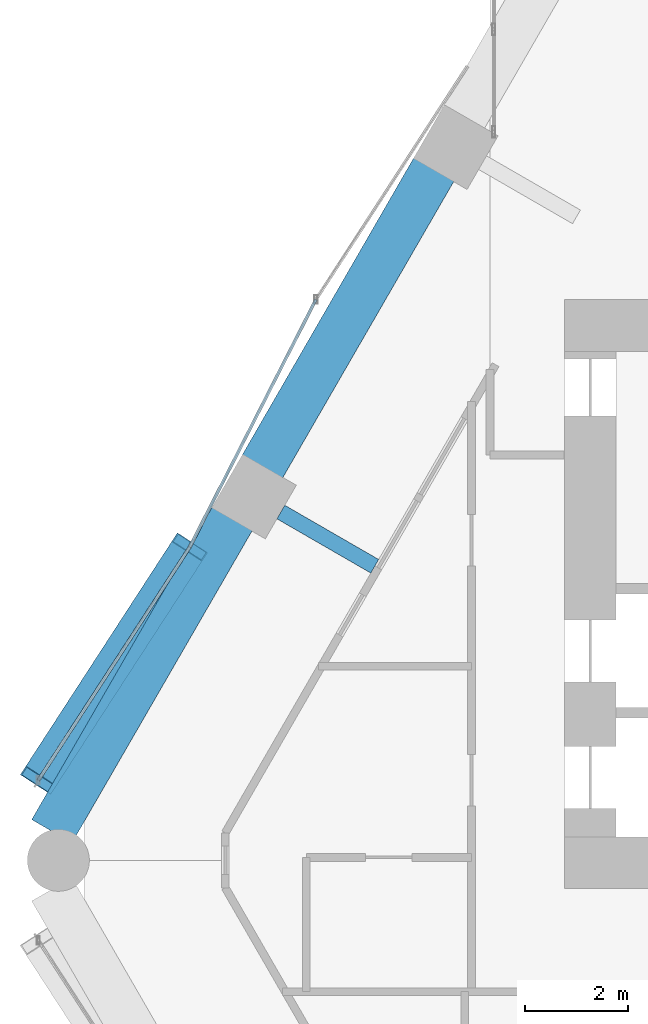
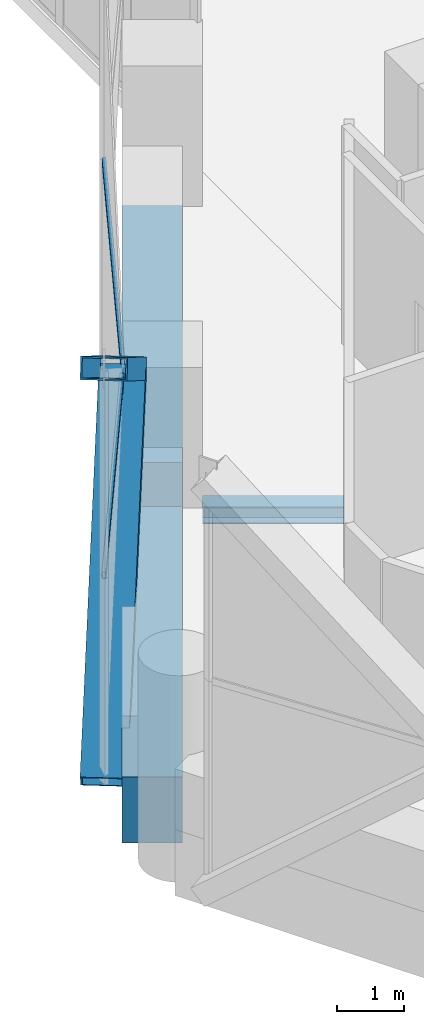
# One storey, part 14 of 36: 4 members, 3 beams, 1 element without a shape of its own.
"""IFC4 building model written with IfcOpenShell, lengths in metres."""

from ifc_helpers import new_model, si_unit, direction, frame, origin, origin_2d, place, context, subcontext, project, spatial, rectangle, hollow_rectangle, i_section, extrude, material, material_profile, profile_set, type_object, element, aggregate, save


model = new_model("IFC4")

# Units and contexts
model_context = context("Model", 3, precision=1e-05, world=origin(), true_north=direction((0.0, 1.0)))
body_context = subcontext(model_context, "Body", "Model", "MODEL_VIEW")
ifc_project = project(units=[si_unit("LENGTHUNIT", "METRE"), si_unit("AREAUNIT", "SQUARE_METRE"), si_unit("VOLUMEUNIT", "CUBIC_METRE"), si_unit("PLANEANGLEUNIT", "RADIAN"), si_unit("MASSUNIT", "GRAM", prefix="KILO")], contexts=[model_context])

# Site, building, storey
site_placement = place(None, origin())
site = spatial("IfcSite", under=ifc_project, at=site_placement, CompositionType="ELEMENT")
building_placement = place(site_placement, origin())
building = spatial("IfcBuilding", under=site, at=building_placement, Name="Ostrander Bayou Hotel Tower", CompositionType="ELEMENT")
storey_placement = place(building_placement, frame((0.0, 0.0, 138.5)))
storey = spatial("IfcBuildingStorey", under=building, at=storey_placement, Name="L34", CompositionType="ELEMENT", Elevation=138.5)

# Curtain wall, members
ifc_material_1 = material(Name="Aluminium and clear glass", Category="aluminium")
curtain_wall_type = type_object("IfcCurtainWallType", Name="CW-LAT lattice glazing", PredefinedType="NOTDEFINED", material=ifc_material_1)
curtain_wall_placement = place(storey_placement, origin())
curtain_wall = element("IfcCurtainWall", 1, at=curtain_wall_placement, inside=storey, type_object=curtain_wall_type, Name="CW-LAT L34 NW 2", PredefinedType="NOTDEFINED")
ifc_material_2 = material(Name="Aluminium", Category="aluminium")
ifc_material_profile_1 = material_profile(ifc_material_2, hollow_rectangle(XDim=0.06005859375, YDim=0.1201171875, WallThickness=0.00390625, at=origin_2d()))
ifc_profile_set_1 = profile_set([ifc_material_profile_1], Name="Aluminium")
member_type_1 = type_object("IfcMemberType", Name="CW-LA transom 60 x 120 mm", PredefinedType="USERDEFINED", material=ifc_profile_set_1)
member_1_placement = place(storey_placement, frame((-16.8125, 9.706787109375, 3.14990234375), z_axis=(-0.45398488229, -0.891009386399, 0.0), x_axis=(0.891009386399, -0.45398488229, 0.0)))
member_1 = element("IfcMember", 2, at=member_1_placement, type_object=member_type_1, Name="CW-LAT transom 4", ObjectType="TRANSOM", PredefinedType="USERDEFINED", context=body_context, shape_type="SweptSolid", body=[
    extrude(hollow_rectangle(XDim=0.06005859375, YDim=0.1201171875, WallThickness=0.00390625, at=origin_2d()), origin(), (0.0, 0.0, 1.0), 5.383544921875),
])
member_2_placement = place(storey_placement, frame((-22.188720703125, 0.39501953125, 3.14990234375), z_axis=(0.544655155418, 0.838660099013, 0.0), x_axis=(-0.838660099013, 0.544655155418, 0.0)))
member_2 = element("IfcMember", 3, at=member_2_placement, type_object=member_type_1, Name="CW-LAT transom 7", ObjectType="TRANSOM", PredefinedType="USERDEFINED", context=body_context, shape_type="SweptSolid", body=[
    extrude(hollow_rectangle(XDim=0.06005859375, YDim=0.1201171875, WallThickness=0.00390625, at=origin_2d()), origin(), (0.0, 0.0, 1.0), 5.383544921875),
])
aggregate(curtain_wall, [member_1, member_2])

# Beam
ifc_material_3 = material(Name="Steel ASTM A992", Category="steel")
ifc_material_profile_2 = material_profile(ifc_material_3, i_section(OverallWidth=0.3046875, OverallDepth=0.307861328125, WebThickness=0.010009765625, FlangeThickness=0.015380859375, at=origin_2d()))
ifc_profile_set_2 = profile_set([ifc_material_profile_2], Name="Steel ASTM A992")
beam_type_1 = type_object("IfcBeamType", Name="LB1 loggia bracket W12x65", PredefinedType="BEAM", material=ifc_profile_set_2)
beam_1_placement = place(storey_placement, frame((-17.492919921875, 5.58837890625, -0.453857421875), z_axis=(0.866009402589, -0.500027713859, 0.0), x_axis=(0.500027713859, 0.866009402589, 0.0)))
element("IfcBeam", 4, at=beam_1_placement, inside=storey, type_object=beam_type_1, Name="LB1 L34 NW2", PredefinedType="BEAM", context=body_context, shape_type="SweptSolid", body=[
    extrude(i_section(OverallWidth=0.3046875, OverallDepth=0.307861328125, WebThickness=0.010009765625, FlangeThickness=0.015380859375, at=origin_2d()), origin(), (0.0, 0.0, 1.0), 2.10009765625),
])

# Members
ifc_material_4 = material(Name="Steel ASTM A572 Gr 50", Category="steel")
ifc_material_profile_3 = material_profile(ifc_material_4, hollow_rectangle(XDim=0.699951171875, YDim=0.35009765625, WallThickness=0.02490234375, at=origin_2d()))
ifc_profile_set_3 = profile_set([ifc_material_profile_3], Name="Steel ASTM A572 Gr 50")
member_type_2 = type_object("IfcMemberType", Name="LT1 lattice member box 700 x 350 x 25 mm", PredefinedType="BRACE", material=ifc_profile_set_3)
for number, where, z_axis, x_axis, name in (
    (5, (-19.256591796875, 4.909912109375, 3.14990234375), (-0.44691616916, -0.688161591696, -0.571576382872), (0.838660099013, -0.544655155418, 0.0), "LT1 L34 NW 1"),
    (6, (-19.256591796875, 4.909912109375, 3.14990234375), (-0.44691616916, -0.688161591696, 0.571576382872), (0.838660099013, -0.544655155418, 0.0), "LT1 L34 NW 2"),
):
    element("IfcMember", number, at=place(storey_placement, frame(where, z_axis=z_axis, x_axis=x_axis)), inside=storey, type_object=member_type_2, Name=name, PredefinedType="BRACE", context=body_context, shape_type="SweptSolid", body=[
        extrude(hollow_rectangle(XDim=0.699951171875, YDim=0.35009765625, WallThickness=0.02490234375, at=origin_2d()), origin(), (0.0, 0.0, 1.0), 6.560791015625),
    ])

# Beams
ifc_material_5 = material(Name="Concrete f'c 70 MPa", Category="concrete")
ifc_material_profile_4 = material_profile(ifc_material_5, rectangle(XDim=0.89990234375, YDim=1.199951171875, at=origin_2d()))
ifc_profile_set_4 = profile_set([ifc_material_profile_4], Name="Concrete f'c 70 MPa")
beam_type_2 = type_object("IfcBeamType", Name="SP2 spandrel beam 900 x 1200 mm f'c 70 MPa", PredefinedType="SPANDREL", material=ifc_profile_set_4)
beam_2_placement = place(storey_placement, frame((-14.520751953125, 12.236572265625, -0.60009765625), z_axis=(-0.499983182885, -0.866035112932, 0.0), x_axis=(0.866035112932, -0.499983182885, 0.0)))
element("IfcBeam", 7, at=beam_2_placement, inside=storey, type_object=beam_type_2, Name="SP2 L34 NW-2", PredefinedType="SPANDREL", context=body_context, shape_type="SweptSolid", body=[
    extrude(rectangle(XDim=0.89990234375, YDim=1.199951171875, at=origin_2d()), origin(), (0.0, 0.0, 1.0), 6.673583984375),
])
beam_3_placement = place(storey_placement, frame((-18.427490234375, 5.4697265625, -0.60009765625), z_axis=(-0.499991127072, -0.866030526511, 0.0), x_axis=(0.866030526511, -0.499991127072, 0.0)))
element("IfcBeam", 8, at=beam_3_placement, inside=storey, type_object=beam_type_2, Name="SP2 L34 NW-3", PredefinedType="SPANDREL", context=body_context, shape_type="SweptSolid", body=[
    extrude(rectangle(XDim=0.89990234375, YDim=1.199951171875, at=origin_2d()), origin(), (0.0, 0.0, 1.0), 7.000732421875),
])

save(model, "model.ifc")
